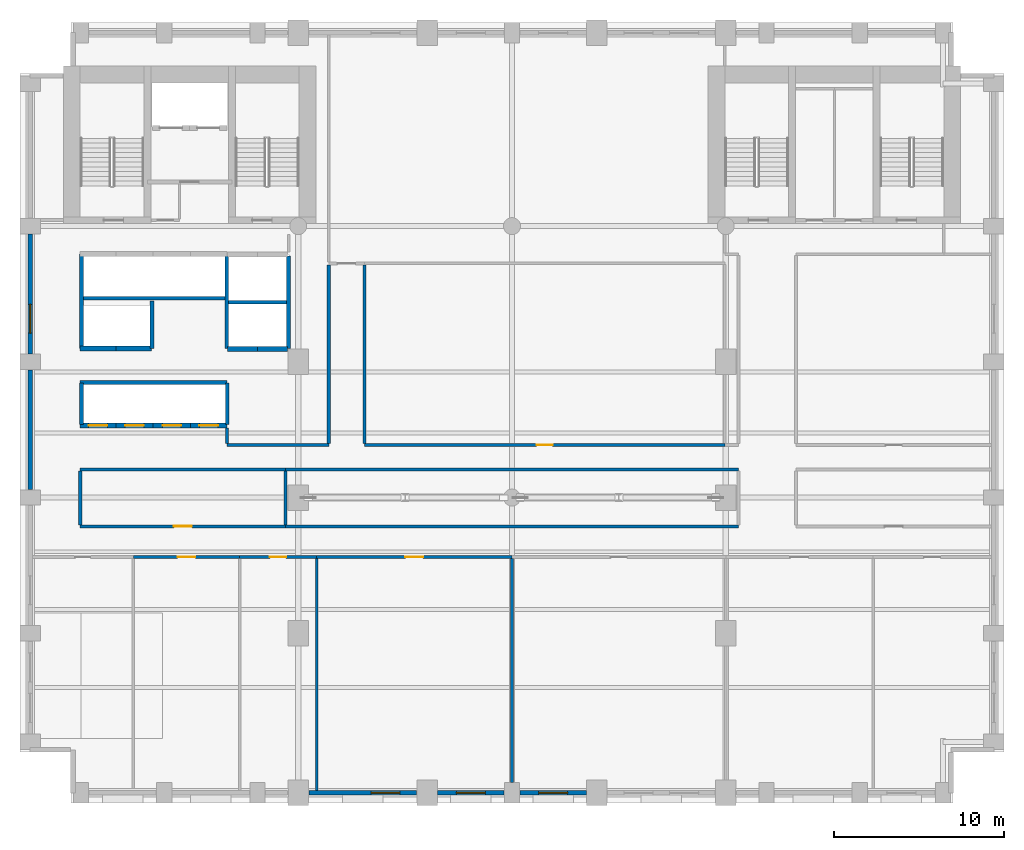
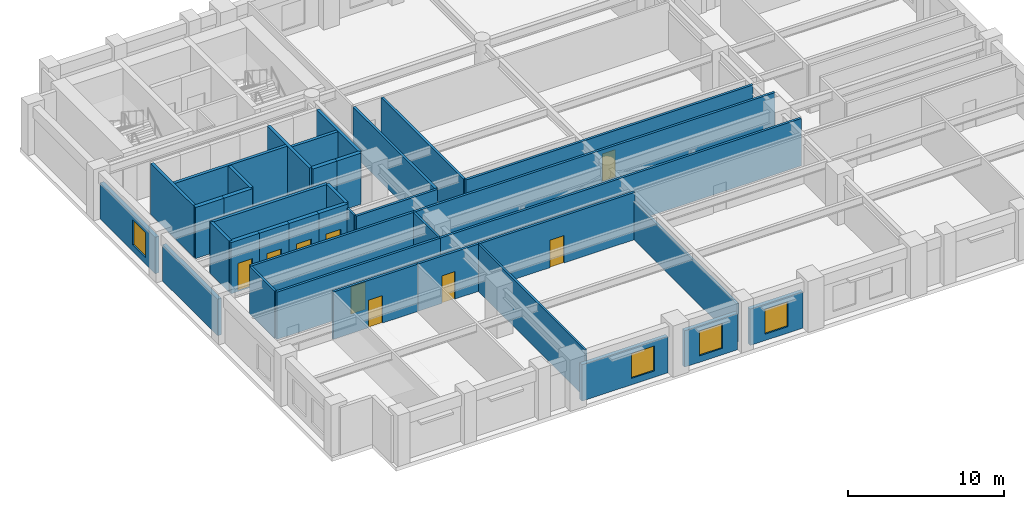
# One storey, part 5 of 11: 38 walls, 9 doors, 4 windows, 13 openings.
"""IFC4 building model written with IfcOpenShell, lengths in metres."""

from ifc_helpers import new_model, si_unit, direction, frame, frame_2d, origin, place, context, subcontext, project, spatial, rectangle, extrude, material, layer, layer_set, type_object, element, fill, save


model = new_model("IFC4")

# Units and contexts
model_context = context("Model", 3, precision=1e-05, world=origin(), true_north=direction((0.0, 1.0)))
body_context = subcontext(model_context, "Body", "Model", "MODEL_VIEW")
ifc_project = project(units=[si_unit("LENGTHUNIT", "METRE"), si_unit("AREAUNIT", "SQUARE_METRE"), si_unit("VOLUMEUNIT", "CUBIC_METRE"), si_unit("PLANEANGLEUNIT", "RADIAN"), si_unit("MASSUNIT", "GRAM", prefix="KILO")], contexts=[model_context])

# Site, building, storey
site_placement = place(None, origin())
site = spatial("IfcSite", under=ifc_project, at=site_placement, CompositionType="ELEMENT")
building_placement = place(site_placement, origin())
building = spatial("IfcBuilding", under=site, at=building_placement, Name="Sulina Concourse Tower", CompositionType="ELEMENT")
storey_placement = place(building_placement, frame((0.0, 0.0, 46.60009765625)))
storey = spatial("IfcBuildingStorey", under=building, at=storey_placement, Name="L11", CompositionType="ELEMENT", Elevation=46.60009765625)

# Walls
ifc_material_1 = material(Name="Concrete C50/60", Category="concrete")
ifc_layer_1 = layer(ifc_material_1, 0.219970703125)
ifc_layer_set_1 = layer_set([ifc_layer_1], Name="Concrete C50/60")
wall_type_1 = type_object("IfcWallType", Name="Core Lift Hoistway Divider Wall 220mm", PredefinedType="SOLIDWALL", material=ifc_layer_set_1)
wall_1_placement = place(storey_placement, frame((3.550048828125, 29.75, 0.0), z_axis=(0.0, 0.0, 1.0), x_axis=(1.0, 0.0, 0.0)))
element("IfcWall", 1, at=wall_1_placement, inside=storey, type_object=wall_type_1, Name="L11 shaft divider wall HW-LP3-S", PredefinedType="SOLIDWALL", context=body_context, shape_type="SweptSolid", body=[
    extrude(rectangle(XDim=8.64990234375, YDim=0.219970703125, at=frame_2d((4.324951171875, 0.0))), origin(), (0.0, 0.0, 1.0), 4.0),
])
wall_2_placement = place(storey_placement, frame((3.6298828125, 26.800048828125, 0.0), z_axis=(0.0, 0.0, 1.0), x_axis=(0.0, 1.0, 0.0)))
element("IfcWall", 2, at=wall_2_placement, inside=storey, type_object=wall_type_1, Name="L11 shaft divider wall HW-LP3-W", PredefinedType="SOLIDWALL", context=body_context, shape_type="SweptSolid", body=[
    extrude(rectangle(XDim=5.550048828125, YDim=0.219970703125, at=frame_2d((2.77490234375, 0.0))), origin(), (0.0, 0.0, 1.0), 4.0),
])
wall_3_placement = place(storey_placement, frame((7.780029296875, 26.800048828125, 0.0), z_axis=(0.0, 0.0, 1.0), x_axis=(0.0, 1.0, 0.0)))
element("IfcWall", 3, at=wall_3_placement, inside=storey, type_object=wall_type_1, Name="L11 shaft divider wall HW-EXP-E", PredefinedType="SOLIDWALL", context=body_context, shape_type="SweptSolid", body=[
    extrude(rectangle(XDim=2.800048828125, YDim=0.219970703125, at=frame_2d((1.39990234375, 0.0))), origin(), (0.0, 0.0, 1.0), 4.0),
])
for number, where, z_axis, x_axis, name in (
    (4, (12.179931640625, 26.800048828125, 0.0), (0.0, 0.0, 1.0), (0.0, 1.0, 0.0), "L11 shaft divider wall HW-LP2-W"),
    (5, (15.820068359375, 26.800048828125, 0.0), (0.0, 0.0, 1.0), (0.0, 1.0, 0.0), "L11 shaft divider wall HW-LP2-E"),
):
    element("IfcWall", number, at=place(storey_placement, frame(where, z_axis=z_axis, x_axis=x_axis)), inside=storey, type_object=wall_type_1, Name=name, PredefinedType="SOLIDWALL", context=body_context, shape_type="SweptSolid", body=[
        extrude(rectangle(XDim=5.449951171875, YDim=0.219970703125, at=frame_2d((2.72509765625, 0.0))), origin(), (0.0, 0.0, 1.0), 4.0),
    ])
wall_4_placement = place(storey_placement, frame((12.300048828125, 29.52001953125, 0.0), z_axis=(0.0, 0.0, 1.0), x_axis=(1.0, 0.0, 0.0)))
element("IfcWall", 6, at=wall_4_placement, inside=storey, type_object=wall_type_1, Name="L11 shaft divider wall HW-LP2-M", PredefinedType="SOLIDWALL", context=body_context, shape_type="SweptSolid", body=[
    extrude(rectangle(XDim=3.39990234375, YDim=0.219970703125, at=frame_2d((1.699951171875, 0.0))), origin(), (0.0, 0.0, 1.0), 4.0),
])
wall_5_placement = place(storey_placement, frame((3.550048828125, 24.780029296875, 0.0), z_axis=(0.0, 0.0, 1.0), x_axis=(1.0, 0.0, 0.0)))
element("IfcWall", 7, at=wall_5_placement, inside=storey, type_object=wall_type_1, Name="L11 shaft divider wall HW-LP1-N", PredefinedType="SOLIDWALL", context=body_context, shape_type="SweptSolid", body=[
    extrude(rectangle(XDim=8.64990234375, YDim=0.219970703125, at=frame_2d((4.324951171875, 0.0))), origin(), (0.0, 0.0, 1.0), 4.0),
])
for number, where, z_axis, x_axis, name in (
    (8, (3.6298828125, 22.300048828125, 0.0), (0.0, 0.0, 1.0), (0.0, 1.0, 0.0), "L11 shaft divider wall HW-LP1-W"),
    (9, (12.219970703125, 22.300048828125, 0.0), (0.0, 0.0, 1.0), (0.0, 1.0, 0.0), "L11 shaft divider wall HW-LP1-E"),
):
    element("IfcWall", number, at=place(storey_placement, frame(where, z_axis=z_axis, x_axis=x_axis)), inside=storey, type_object=wall_type_1, Name=name, PredefinedType="SOLIDWALL", context=body_context, shape_type="SweptSolid", body=[
        extrude(rectangle(XDim=2.449951171875, YDim=0.219970703125, at=frame_2d((1.22509765625, 0.0))), origin(), (0.0, 0.0, 1.0), 4.0),
    ])

# Wall, opening, door
ifc_material_2 = material(Name="Concrete C50/60", Category="concrete")
ifc_layer_2 = layer(ifc_material_2, 0.300048828125)
ifc_layer_set_2 = layer_set([ifc_layer_2], Name="Concrete C50/60")
wall_type_2 = type_object("IfcWallType", Name="Core Lift Hoistway Wall 300mm", PredefinedType="SOLIDWALL", material=ifc_layer_set_2)
wall_6_placement = place(storey_placement, frame((5.64990234375, 22.25, 0.0), z_axis=(0.0, 0.0, 1.0), x_axis=(-1.0, 0.0, 0.0)))
wall_6 = element("IfcWall", 10, at=wall_6_placement, inside=storey, type_object=wall_type_2, Name="L11 hoistway enclosure wall LP-01", PredefinedType="SOLIDWALL", context=body_context, shape_type="SweptSolid", body=[
    extrude(rectangle(XDim=2.099853515625, YDim=0.300048828125, at=frame_2d((1.0498046875, 0.0))), origin(), (0.0, 0.0, 1.0), 4.0),
])
opening_1_placement = place(wall_6_placement, frame((0.5, 0.0, 0.0)))
opening_1 = element("IfcOpeningElement", 11, at=opening_1_placement, cuts=wall_6, Name="Opening LD-01", PredefinedType="OPENING", context=body_context, shape_type="SweptSolid", body=[
    extrude(rectangle(XDim=1.10009765625, YDim=2.199951171875, at=frame_2d((0.550048828125, 1.10009765625))), frame((0.0, 0.159912109375, 0.0), z_axis=(0.0, -1.0, 0.0), x_axis=(1.0, 0.0, 0.0)), (0.0, 0.0, 1.0), 0.320068359375),
])
ifc_material_3 = material(Name="Stainless steel lift landing door", Category="steel")
ifc_layer_3 = layer(ifc_material_3, 0.050048828125)
ifc_layer_set_3 = layer_set([ifc_layer_3], Name="Stainless steel lift landing door")
door_type_1 = type_object("IfcDoorType", Name="Passenger Lift Sliding Landing Door 1100x2200", OperationType="SLIDING_TO_LEFT", PredefinedType="DOOR", material=ifc_layer_set_3)
door_1_placement = place(opening_1_placement, origin())
door_1 = element("IfcDoor", 12, at=door_1_placement, inside=storey, type_object=door_type_1, Name="L11 lift landing sliding door LP-01", OperationType="SLIDING_TO_LEFT", OverallHeight=2.199951171875, OverallWidth=1.10009765625, PredefinedType="DOOR", context=body_context, shape_type="SweptSolid", body=[
    extrude(rectangle(XDim=1.10009765625, YDim=2.199951171875, at=frame_2d((0.550048828125, 1.10009765625))), frame((0.0, 0.02490234375, 0.0), z_axis=(0.0, -1.0, 0.0), x_axis=(1.0, 0.0, 0.0)), (0.0, 0.0, 1.0), 0.050048828125),
])
fill(opening_1, door_1)

wall_7_placement = place(storey_placement, frame((7.85009765625, 22.25, 0.0), z_axis=(0.0, 0.0, 1.0), x_axis=(-1.0, 0.0, 0.0)))
wall_7 = element("IfcWall", 13, at=wall_7_placement, inside=storey, type_object=wall_type_2, Name="L11 hoistway enclosure wall LP-02", PredefinedType="SOLIDWALL", context=body_context, shape_type="SweptSolid", body=[
    extrude(rectangle(XDim=2.2001953125, YDim=0.300048828125, at=frame_2d((1.10009765625, 0.0))), origin(), (0.0, 0.0, 1.0), 4.0),
])
opening_2_placement = place(wall_7_placement, frame((0.550048828125, 0.0, 0.0)))
opening_2 = element("IfcOpeningElement", 14, at=opening_2_placement, cuts=wall_7, Name="Opening LD-01", PredefinedType="OPENING", context=body_context, shape_type="SweptSolid", body=[
    extrude(rectangle(XDim=1.10009765625, YDim=2.199951171875, at=frame_2d((0.550048828125, 1.10009765625))), frame((0.0, 0.159912109375, 0.0), z_axis=(0.0, -1.0, 0.0), x_axis=(1.0, 0.0, 0.0)), (0.0, 0.0, 1.0), 0.320068359375),
])
door_2_placement = place(opening_2_placement, origin())
door_2 = element("IfcDoor", 15, at=door_2_placement, inside=storey, type_object=door_type_1, Name="L11 lift landing sliding door LP-02", OperationType="SLIDING_TO_RIGHT", OverallHeight=2.199951171875, OverallWidth=1.10009765625, PredefinedType="DOOR", context=body_context, shape_type="SweptSolid", body=[
    extrude(rectangle(XDim=1.10009765625, YDim=2.199951171875, at=frame_2d((0.550048828125, 1.10009765625))), frame((0.0, 0.02490234375, 0.0), z_axis=(0.0, -1.0, 0.0), x_axis=(1.0, 0.0, 0.0)), (0.0, 0.0, 1.0), 0.050048828125),
])
fill(opening_2, door_2)

wall_8_placement = place(storey_placement, frame((10.050048828125, 22.25, 0.0), z_axis=(0.0, 0.0, 1.0), x_axis=(-1.0, 0.0, 0.0)))
wall_8 = element("IfcWall", 16, at=wall_8_placement, inside=storey, type_object=wall_type_2, Name="L11 hoistway enclosure wall LP-03", PredefinedType="SOLIDWALL", context=body_context, shape_type="SweptSolid", body=[
    extrude(rectangle(XDim=2.199951171875, YDim=0.300048828125, at=frame_2d((1.10009765625, 0.0))), origin(), (0.0, 0.0, 1.0), 4.0),
])
opening_3_placement = place(wall_8_placement, frame((0.550048828125, 0.0, 0.0)))
opening_3 = element("IfcOpeningElement", 17, at=opening_3_placement, cuts=wall_8, Name="Opening LD-01", PredefinedType="OPENING", context=body_context, shape_type="SweptSolid", body=[
    extrude(rectangle(XDim=1.10009765625, YDim=2.199951171875, at=frame_2d((0.550048828125, 1.10009765625))), frame((0.0, 0.159912109375, 0.0), z_axis=(0.0, -1.0, 0.0), x_axis=(1.0, 0.0, 0.0)), (0.0, 0.0, 1.0), 0.320068359375),
])
door_3_placement = place(opening_3_placement, origin())
door_3 = element("IfcDoor", 18, at=door_3_placement, inside=storey, type_object=door_type_1, Name="L11 lift landing sliding door LP-03", OperationType="SLIDING_TO_LEFT", OverallHeight=2.199951171875, OverallWidth=1.10009765625, PredefinedType="DOOR", context=body_context, shape_type="SweptSolid", body=[
    extrude(rectangle(XDim=1.10009765625, YDim=2.199951171875, at=frame_2d((0.550048828125, 1.10009765625))), frame((0.0, 0.02490234375, 0.0), z_axis=(0.0, -1.0, 0.0), x_axis=(1.0, 0.0, 0.0)), (0.0, 0.0, 1.0), 0.050048828125),
])
fill(opening_3, door_3)

wall_9_placement = place(storey_placement, frame((12.199951171875, 22.25, 0.0), z_axis=(0.0, 0.0, 1.0), x_axis=(-1.0, 0.0, 0.0)))
wall_9 = element("IfcWall", 19, at=wall_9_placement, inside=storey, type_object=wall_type_2, Name="L11 hoistway enclosure wall LP-04", PredefinedType="SOLIDWALL", context=body_context, shape_type="SweptSolid", body=[
    extrude(rectangle(XDim=2.14990234375, YDim=0.300048828125, at=frame_2d((1.074951171875, 0.0))), origin(), (0.0, 0.0, 1.0), 4.0),
])
opening_4_placement = place(wall_9_placement, frame((0.52490234375, 0.0, 0.0)))
opening_4 = element("IfcOpeningElement", 20, at=opening_4_placement, cuts=wall_9, Name="Opening LD-01", PredefinedType="OPENING", context=body_context, shape_type="SweptSolid", body=[
    extrude(rectangle(XDim=1.10009765625, YDim=2.199951171875, at=frame_2d((0.550048828125, 1.10009765625))), frame((0.0, 0.159912109375, 0.0), z_axis=(0.0, -1.0, 0.0), x_axis=(1.0, 0.0, 0.0)), (0.0, 0.0, 1.0), 0.320068359375),
])
door_4_placement = place(opening_4_placement, origin())
door_4 = element("IfcDoor", 21, at=door_4_placement, inside=storey, type_object=door_type_1, Name="L11 lift landing sliding door LP-04", OperationType="SLIDING_TO_RIGHT", OverallHeight=2.199951171875, OverallWidth=1.10009765625, PredefinedType="DOOR", context=body_context, shape_type="SweptSolid", body=[
    extrude(rectangle(XDim=1.10009765625, YDim=2.199951171875, at=frame_2d((0.550048828125, 1.10009765625))), frame((0.0, 0.02490234375, 0.0), z_axis=(0.0, -1.0, 0.0), x_axis=(1.0, 0.0, 0.0)), (0.0, 0.0, 1.0), 0.050048828125),
])
fill(opening_4, door_4)

# Walls
for number, where, z_axis, x_axis, name in (
    (22, (14.0, 26.75, 0.0), (0.0, 0.0, 1.0), (-1.0, 0.0, 0.0), "L11 hoistway enclosure wall LP-05"),
    (23, (15.780029296875, 26.75, 0.0), (0.0, 0.0, 1.0), (-1.0, 0.0, 0.0), "L11 hoistway enclosure wall LP-06"),
):
    element("IfcWall", number, at=place(storey_placement, frame(where, z_axis=z_axis, x_axis=x_axis)), inside=storey, type_object=wall_type_2, Name=name, PredefinedType="SOLIDWALL", context=body_context, shape_type="SweptSolid", body=[
        extrude(rectangle(XDim=1.780029296875, YDim=0.300048828125, at=frame_2d((0.89013671875, 0.0))), origin(), (0.0, 0.0, 1.0), 4.0),
    ])
wall_10_placement = place(storey_placement, frame((5.64990234375, 26.780029296875, 0.0), z_axis=(0.0, 0.0, 1.0), x_axis=(-1.0, 0.0, 0.0)))
element("IfcWall", 24, at=wall_10_placement, inside=storey, type_object=wall_type_2, Name="L11 hoistway enclosure wall EXP-1", PredefinedType="SOLIDWALL", context=body_context, shape_type="SweptSolid", body=[
    extrude(rectangle(XDim=2.099853515625, YDim=0.300048828125, at=frame_2d((1.0498046875, 0.0))), origin(), (0.0, 0.0, 1.0), 4.0),
])
wall_11_placement = place(storey_placement, frame((7.75, 26.780029296875, 0.0), z_axis=(0.0, 0.0, 1.0), x_axis=(-1.0, 0.0, 0.0)))
element("IfcWall", 25, at=wall_11_placement, inside=storey, type_object=wall_type_2, Name="L11 hoistway enclosure wall EXP-2", PredefinedType="SOLIDWALL", context=body_context, shape_type="SweptSolid", body=[
    extrude(rectangle(XDim=2.10009765625, YDim=0.300048828125, at=frame_2d((1.050048828125, 0.0))), origin(), (0.0, 0.0, 1.0), 4.0),
])
ifc_material_4 = material(Name="Gypsum board on steel stud", Category="steel")
ifc_layer_4 = layer(ifc_material_4, 0.14990234375)
ifc_layer_set_4 = layer_set([ifc_layer_4], Name="Gypsum board on steel stud")
wall_type_3 = type_object("IfcWallType", Name="Inter-Tenancy Acoustic Partition 150mm", PredefinedType="PARTITIONING", material=ifc_layer_set_4)
wall_12_placement = place(storey_placement, frame((12.199951171875, 21.18994140625, 0.0), z_axis=(0.0, 0.0, 1.0), x_axis=(0.0, 1.0, 0.0)))
element("IfcWall", 26, at=wall_12_placement, inside=storey, type_object=wall_type_3, Name="L11 interior partition 030", PredefinedType="PARTITIONING", context=body_context, shape_type="SweptSolid", body=[
    extrude(rectangle(XDim=0.91015625, YDim=0.14990234375, at=frame_2d((0.455078125, 0.0))), origin(), (0.0, 0.0, 1.0), 3.699951171875),
])
wall_13_placement = place(storey_placement, frame((15.64990234375, 16.389892578125, 0.0), z_axis=(0.0, 0.0, 1.0), x_axis=(0.0, 1.0, 0.0)))
element("IfcWall", 27, at=wall_13_placement, inside=storey, type_object=wall_type_3, Name="L11 interior partition 032", PredefinedType="PARTITIONING", context=body_context, shape_type="SweptSolid", body=[
    extrude(rectangle(XDim=3.170166015625, YDim=0.14990234375, at=frame_2d((1.5849609375, 0.0))), origin(), (0.0, 0.0, 1.0), 3.699951171875),
])
wall_14_placement = place(storey_placement, frame((17.47998046875, 0.739990234375, 0.0), z_axis=(0.0, 0.0, 1.0), x_axis=(0.0, 1.0, 0.0)))
element("IfcWall", 28, at=wall_14_placement, inside=storey, type_object=wall_type_3, Name="L11 interior partition 034", PredefinedType="PARTITIONING", context=body_context, shape_type="SweptSolid", body=[
    extrude(rectangle(XDim=13.669921875, YDim=0.14990234375, at=frame_2d((6.8349609375, 0.0))), origin(), (0.0, 0.0, 1.0), 3.699951171875),
])
wall_15_placement = place(storey_placement, frame((29.0, 1.199951171875, 0.0), z_axis=(0.0, 0.0, 1.0), x_axis=(0.0, 1.0, 0.0)))
element("IfcWall", 29, at=wall_15_placement, inside=storey, type_object=wall_type_3, Name="L11 interior partition 038", PredefinedType="PARTITIONING", context=body_context, shape_type="SweptSolid", body=[
    extrude(rectangle(XDim=13.2099609375, YDim=0.14990234375, at=frame_2d((6.60498046875, 0.0))), origin(), (0.0, 0.0, 1.0), 2.994873046875),
])

# Wall, opening, door
ifc_material_5 = material(Name="Gypsum board on steel stud", Category="steel")
ifc_layer_5 = layer(ifc_material_5, 0.179931640625)
ifc_layer_set_5 = layer_set([ifc_layer_5], Name="Gypsum board on steel stud")
wall_type_4 = type_object("IfcWallType", Name="Protected Corridor & Riser Partition 180mm", PredefinedType="PARTITIONING", material=ifc_layer_set_5)
wall_16_placement = place(storey_placement, frame((6.679931640625, 14.5, 0.0), z_axis=(0.0, 0.0, 1.0), x_axis=(1.0, 0.0, 0.0)))
wall_16 = element("IfcWall", 30, at=wall_16_placement, inside=storey, type_object=wall_type_4, Name="L11 interior partition 002", PredefinedType="PARTITIONING", context=body_context, shape_type="SweptSolid", body=[
    extrude(rectangle(XDim=6.260009765625, YDim=0.179931640625, at=frame_2d((3.1298828125, 0.0))), origin(), (0.0, 0.0, 1.0), 3.699951171875),
])
opening_5_placement = place(wall_16_placement, frame((2.60498046875, 0.0, 0.0)))
opening_5 = element("IfcOpeningElement", 31, at=opening_5_placement, cuts=wall_16, Name="Opening DR-37", PredefinedType="OPENING", context=body_context, shape_type="SweptSolid", body=[
    extrude(rectangle(XDim=1.050048828125, YDim=2.14990234375, at=frame_2d((0.52490234375, 1.074951171875))), frame((0.0, 0.099853515625, 0.0), z_axis=(0.0, -1.0, 0.0), x_axis=(1.0, 0.0, 0.0)), (0.0, 0.0, 1.0), 0.199951171875),
])
ifc_material_6 = material(Name="Oak-veneered fire door leaf")
ifc_layer_6 = layer(ifc_material_6, 0.050048828125)
ifc_layer_set_6 = layer_set([ifc_layer_6], Name="Oak-veneered fire door leaf")
door_type_2 = type_object("IfcDoorType", Name="Tenant Suite Entrance Fire Door 1050x2150", OperationType="NOTDEFINED", PredefinedType="DOOR", material=ifc_layer_set_6)
door_5_placement = place(opening_5_placement, origin())
door_5 = element("IfcDoor", 32, at=door_5_placement, inside=storey, type_object=door_type_2, Name="L11 interior door L11-S02A", OperationType="SINGLE_SWING_RIGHT", OverallHeight=2.14990234375, OverallWidth=1.050048828125, PredefinedType="DOOR", context=body_context, shape_type="SweptSolid", body=[
    extrude(rectangle(XDim=1.050048828125, YDim=2.14990234375, at=frame_2d((0.52490234375, 1.074951171875))), frame((0.0, 0.02490234375, 0.0), z_axis=(0.0, -1.0, 0.0), x_axis=(1.0, 0.0, 0.0)), (0.0, 0.0, 1.0), 0.050048828125),
])
fill(opening_5, door_5)

wall_17_placement = place(storey_placement, frame((12.93994140625, 14.5, 0.0), z_axis=(0.0, 0.0, 1.0), x_axis=(1.0, 0.0, 0.0)))
wall_17 = element("IfcWall", 33, at=wall_17_placement, inside=storey, type_object=wall_type_4, Name="L11 interior partition 003", PredefinedType="PARTITIONING", context=body_context, shape_type="SweptSolid", body=[
    extrude(rectangle(XDim=4.5400390625, YDim=0.179931640625, at=frame_2d((2.27001953125, 0.0))), origin(), (0.0, 0.0, 1.0), 3.699951171875),
])
opening_6_placement = place(wall_17_placement, frame((1.794921875, 0.0, 0.0)))
opening_6 = element("IfcOpeningElement", 34, at=opening_6_placement, cuts=wall_17, Name="Opening DR-19", PredefinedType="OPENING", context=body_context, shape_type="SweptSolid", body=[
    extrude(rectangle(XDim=0.949951171875, YDim=2.14990234375, at=frame_2d((0.47509765625, 1.074951171875))), frame((0.0, 0.099853515625, 0.0), z_axis=(0.0, -1.0, 0.0), x_axis=(1.0, 0.0, 0.0)), (0.0, 0.0, 1.0), 0.199951171875),
])
ifc_material_7 = material(Name="Oak-veneered acoustic timber leaf", Category="wood")
ifc_layer_7 = layer(ifc_material_7, 0.050048828125)
ifc_layer_set_7 = layer_set([ifc_layer_7], Name="Oak-veneered acoustic timber leaf")
door_type_3 = type_object("IfcDoorType", Name="Cellular Office & Meeting Door 950x2150", OperationType="NOTDEFINED", PredefinedType="DOOR", material=ifc_layer_set_7)
door_6_placement = place(opening_6_placement, origin())
door_6 = element("IfcDoor", 35, at=door_6_placement, inside=storey, type_object=door_type_3, Name="L11 interior door L11-S02B", OperationType="SINGLE_SWING_LEFT", OverallHeight=2.14990234375, OverallWidth=0.949951171875, PredefinedType="DOOR", context=body_context, shape_type="SweptSolid", body=[
    extrude(rectangle(XDim=0.949951171875, YDim=2.14990234375, at=frame_2d((0.47509765625, 1.074951171875))), frame((0.0, 0.02490234375, 0.0), z_axis=(0.0, -1.0, 0.0), x_axis=(1.0, 0.0, 0.0)), (0.0, 0.0, 1.0), 0.050048828125),
])
fill(opening_6, door_6)

wall_18_placement = place(storey_placement, frame((17.47998046875, 14.5, 0.0), z_axis=(0.0, 0.0, 1.0), x_axis=(1.0, 0.0, 0.0)))
wall_18 = element("IfcWall", 36, at=wall_18_placement, inside=storey, type_object=wall_type_4, Name="L11 interior partition 004", PredefinedType="PARTITIONING", context=body_context, shape_type="SweptSolid", body=[
    extrude(rectangle(XDim=11.52001953125, YDim=0.179931640625, at=frame_2d((5.760009765625, 0.0))), origin(), (0.0, 0.0, 1.0), 3.699951171875),
])
opening_7_placement = place(wall_18_placement, frame((5.235107421875, 0.0, 0.0)))
opening_7 = element("IfcOpeningElement", 37, at=opening_7_placement, cuts=wall_18, Name="Opening DR-37", PredefinedType="OPENING", context=body_context, shape_type="SweptSolid", body=[
    extrude(rectangle(XDim=1.050048828125, YDim=2.14990234375, at=frame_2d((0.52490234375, 1.074951171875))), frame((0.0, 0.099853515625, 0.0), z_axis=(0.0, -1.0, 0.0), x_axis=(1.0, 0.0, 0.0)), (0.0, 0.0, 1.0), 0.199951171875),
])
door_7_placement = place(opening_7_placement, origin())
door_7 = element("IfcDoor", 38, at=door_7_placement, inside=storey, type_object=door_type_2, Name="L11 interior door L11-S03", OperationType="SINGLE_SWING_RIGHT", OverallHeight=2.14990234375, OverallWidth=1.050048828125, PredefinedType="DOOR", context=body_context, shape_type="SweptSolid", body=[
    extrude(rectangle(XDim=1.050048828125, YDim=2.14990234375, at=frame_2d((0.52490234375, 1.074951171875))), frame((0.0, 0.02490234375, 0.0), z_axis=(0.0, -1.0, 0.0), x_axis=(1.0, 0.0, 0.0)), (0.0, 0.0, 1.0), 0.050048828125),
])
fill(opening_7, door_7)

wall_19_placement = place(storey_placement, frame((3.550048828125, 16.300048828125, 0.0), z_axis=(0.0, 0.0, 1.0), x_axis=(1.0, 0.0, 0.0)))
wall_19 = element("IfcWall", 39, at=wall_19_placement, inside=storey, type_object=wall_type_4, Name="L11 interior partition 008", PredefinedType="PARTITIONING", context=body_context, shape_type="SweptSolid", body=[
    extrude(rectangle(XDim=12.099853515625, YDim=0.179931640625, at=frame_2d((6.0498046875, 0.0))), origin(), (0.0, 0.0, 1.0), 3.699951171875),
])
opening_8_placement = place(wall_19_placement, frame((5.52490234375, 0.0, 0.0)))
opening_8 = element("IfcOpeningElement", 40, at=opening_8_placement, cuts=wall_19, Name="Opening DR-37", PredefinedType="OPENING", context=body_context, shape_type="SweptSolid", body=[
    extrude(rectangle(XDim=1.050048828125, YDim=2.14990234375, at=frame_2d((0.52490234375, 1.074951171875))), frame((0.0, 0.099853515625, 0.0), z_axis=(0.0, -1.0, 0.0), x_axis=(1.0, 0.0, 0.0)), (0.0, 0.0, 1.0), 0.199951171875),
])
door_8_placement = place(opening_8_placement, origin())
door_8 = element("IfcDoor", 41, at=door_8_placement, inside=storey, type_object=door_type_2, Name="L11 interior door L11-OFF-LBTW", OperationType="SINGLE_SWING_RIGHT", OverallHeight=2.14990234375, OverallWidth=1.050048828125, PredefinedType="DOOR", context=body_context, shape_type="SweptSolid", body=[
    extrude(rectangle(XDim=1.050048828125, YDim=2.14990234375, at=frame_2d((0.52490234375, 1.074951171875))), frame((0.0, 0.02490234375, 0.0), z_axis=(0.0, -1.0, 0.0), x_axis=(1.0, 0.0, 0.0)), (0.0, 0.0, 1.0), 0.050048828125),
])
fill(opening_8, door_8)

# Walls
wall_20_placement = place(storey_placement, frame((15.64990234375, 16.300048828125, 0.0), z_axis=(0.0, 0.0, 1.0), x_axis=(1.0, 0.0, 0.0)))
element("IfcWall", 42, at=wall_20_placement, inside=storey, type_object=wall_type_4, Name="L11 interior partition 009", PredefinedType="PARTITIONING", context=body_context, shape_type="SweptSolid", body=[
    extrude(rectangle(XDim=26.7001953125, YDim=0.179931640625, at=frame_2d((13.35009765625, 0.0))), origin(), (0.0, 0.0, 1.0), 3.699951171875),
])
wall_21_placement = place(storey_placement, frame((3.550048828125, 19.64990234375, 0.0), z_axis=(0.0, 0.0, 1.0), x_axis=(1.0, 0.0, 0.0)))
element("IfcWall", 43, at=wall_21_placement, inside=storey, type_object=wall_type_4, Name="L11 interior partition 011", PredefinedType="PARTITIONING", context=body_context, shape_type="SweptSolid", body=[
    extrude(rectangle(XDim=12.099853515625, YDim=0.179931640625, at=frame_2d((6.0498046875, 0.0))), origin(), (0.0, 0.0, 1.0), 3.699951171875),
])
wall_22_placement = place(storey_placement, frame((15.64990234375, 19.64990234375, 0.0), z_axis=(0.0, 0.0, 1.0), x_axis=(1.0, 0.0, 0.0)))
element("IfcWall", 44, at=wall_22_placement, inside=storey, type_object=wall_type_4, Name="L11 interior partition 012", PredefinedType="PARTITIONING", context=body_context, shape_type="SweptSolid", body=[
    extrude(rectangle(XDim=26.7001953125, YDim=0.179931640625, at=frame_2d((13.35009765625, 0.0))), origin(), (0.0, 0.0, 1.0), 3.699951171875),
])
wall_23_placement = place(storey_placement, frame((12.199951171875, 21.10009765625, 0.0), z_axis=(0.0, 0.0, 1.0), x_axis=(1.0, 0.0, 0.0)))
element("IfcWall", 45, at=wall_23_placement, inside=storey, type_object=wall_type_4, Name="L11 interior partition 014", PredefinedType="PARTITIONING", context=body_context, shape_type="SweptSolid", body=[
    extrude(rectangle(XDim=6.0, YDim=0.179931640625, at=frame_2d((3.0, 0.0))), origin(), (0.0, 0.0, 1.0), 3.699951171875),
])

# Wall, opening, door
wall_24_placement = place(storey_placement, frame((20.300048828125, 21.10009765625, 0.0), z_axis=(0.0, 0.0, 1.0), x_axis=(1.0, 0.0, 0.0)))
wall_24 = element("IfcWall", 46, at=wall_24_placement, inside=storey, type_object=wall_type_4, Name="L11 interior partition 015", PredefinedType="PARTITIONING", context=body_context, shape_type="SweptSolid", body=[
    extrude(rectangle(XDim=21.25, YDim=0.179931640625, at=frame_2d((10.625, 0.0))), origin(), (0.0, 0.0, 1.0), 3.699951171875),
])
opening_9_placement = place(wall_24_placement, frame((10.14990234375, 0.0, 0.0)))
opening_9 = element("IfcOpeningElement", 47, at=opening_9_placement, cuts=wall_24, Name="Opening DR-19", PredefinedType="OPENING", context=body_context, shape_type="SweptSolid", body=[
    extrude(rectangle(XDim=0.949951171875, YDim=2.14990234375, at=frame_2d((0.47509765625, 1.074951171875))), frame((0.0, 0.099853515625, 0.0), z_axis=(0.0, -1.0, 0.0), x_axis=(1.0, 0.0, 0.0)), (0.0, 0.0, 1.0), 0.199951171875),
])
door_9_placement = place(opening_9_placement, origin())
door_9 = element("IfcDoor", 48, at=door_9_placement, inside=storey, type_object=door_type_3, Name="L11 interior door L11-NC3", OperationType="SINGLE_SWING_RIGHT", OverallHeight=2.14990234375, OverallWidth=0.949951171875, PredefinedType="DOOR", context=body_context, shape_type="SweptSolid", body=[
    extrude(rectangle(XDim=0.949951171875, YDim=2.14990234375, at=frame_2d((0.47509765625, 1.074951171875))), frame((0.0, 0.02490234375, 0.0), z_axis=(0.0, -1.0, 0.0), x_axis=(1.0, 0.0, 0.0)), (0.0, 0.0, 1.0), 0.050048828125),
])
fill(opening_9, door_9)

# Walls
wall_25_placement = place(storey_placement, frame((3.550048828125, 16.389892578125, 0.0), z_axis=(0.0, 0.0, 1.0), x_axis=(0.0, 1.0, 0.0)))
element("IfcWall", 49, at=wall_25_placement, inside=storey, type_object=wall_type_4, Name="L11 interior partition 027", PredefinedType="PARTITIONING", context=body_context, shape_type="SweptSolid", body=[
    extrude(rectangle(XDim=3.170166015625, YDim=0.179931640625, at=frame_2d((1.5849609375, 0.0))), origin(), (0.0, 0.0, 1.0), 3.699951171875),
])
for number, where, z_axis, x_axis, name in (
    (50, (18.199951171875, 21.18994140625, 0.0), (0.0, 0.0, 1.0), (0.0, 1.0, 0.0), "L11 interior partition 035"),
    (51, (20.300048828125, 21.18994140625, 0.0), (0.0, 0.0, 1.0), (0.0, 1.0, 0.0), "L11 interior partition 037"),
):
    element("IfcWall", number, at=place(storey_placement, frame(where, z_axis=z_axis, x_axis=x_axis)), inside=storey, type_object=wall_type_4, Name=name, PredefinedType="PARTITIONING", context=body_context, shape_type="SweptSolid", body=[
        extrude(rectangle(XDim=10.52001953125, YDim=0.179931640625, at=frame_2d((5.260009765625, 0.0))), origin(), (0.0, 0.0, 1.0), 3.699951171875),
    ])

# Wall, opening, window
ifc_material_8 = material(Name="Precast concrete C50/60", Category="concrete")
ifc_layer_8 = layer(ifc_material_8, 0.280029296875)
ifc_layer_set_8 = layer_set([ifc_layer_8], Name="Precast concrete C50/60")
wall_type_5 = type_object("IfcWallType", Name="Typical Precast Masonry-Frame Facade Wall 280mm", PredefinedType="SOLIDWALL", material=ifc_layer_set_8)
wall_26_placement = place(storey_placement, frame((23.3798828125, 0.60009765625, 0.0), z_axis=(0.0, 0.0, 1.0), x_axis=(-1.0, 0.0, 0.0)))
wall_26 = element("IfcWall", 52, at=wall_26_placement, inside=storey, type_object=wall_type_5, Name="L11 exterior precast wall S4", PredefinedType="SOLIDWALL", context=body_context, shape_type="SweptSolid", body=[
    extrude(rectangle(XDim=6.35986328125, YDim=0.280029296875, at=frame_2d((3.179931640625, 0.0))), origin(), (0.0, 0.0, 1.0), 2.849853515625),
])
opening_10_placement = place(wall_26_placement, frame((0.98681640625, 0.0, 0.5)))
opening_10 = element("IfcOpeningElement", 53, at=opening_10_placement, cuts=wall_26, Name="Opening WN-66", PredefinedType="OPENING", context=body_context, shape_type="SweptSolid", body=[
    extrude(rectangle(XDim=1.699951171875, YDim=1.949951171875, at=frame_2d((0.85009765625, 0.97509765625))), frame((0.0, 0.14990234375, 0.0), z_axis=(0.0, -1.0, 0.0), x_axis=(1.0, 0.0, 0.0)), (0.0, 0.0, 1.0), 0.300048828125),
])
ifc_material_9 = material(Name="Low-E solar double glazing in bronze aluminium", Category="aluminium")
window_type = type_object("IfcWindowType", Name="Recessed Spandrel Window 1700x1950", PartitioningType="SINGLE_PANEL", PredefinedType="WINDOW", material=ifc_material_9)
window_1_placement = place(opening_10_placement, origin())
window_1 = element("IfcWindow", 54, at=window_1_placement, inside=storey, type_object=window_type, Name="L11 punched window S4-1", OverallHeight=1.949951171875, OverallWidth=1.699951171875, PartitioningType="SINGLE_PANEL", PredefinedType="WINDOW", context=body_context, shape_type="SweptSolid", body=[
    extrude(rectangle(XDim=1.699951171875, YDim=1.949951171875, at=frame_2d((0.85009765625, 0.97509765625))), frame((0.0, 0.030029296875, 0.0), z_axis=(0.0, -1.0, 0.0), x_axis=(1.0, 0.0, 0.0)), (0.0, 0.0, 1.0), 0.06005859375),
])
fill(opening_10, window_1)

wall_27_placement = place(storey_placement, frame((28.530029296875, 0.60009765625, 0.0), z_axis=(0.0, 0.0, 1.0), x_axis=(-1.0, 0.0, 0.0)))
wall_27 = element("IfcWall", 55, at=wall_27_placement, inside=storey, type_object=wall_type_5, Name="L11 exterior precast wall S5", PredefinedType="SOLIDWALL", context=body_context, shape_type="SweptSolid", body=[
    extrude(rectangle(XDim=3.909912109375, YDim=0.280029296875, at=frame_2d((1.955078125, 0.0))), origin(), (0.0, 0.0, 1.0), 2.849853515625),
])
opening_11_placement = place(wall_27_placement, frame((1.10498046875, 0.0, 0.5)))
opening_11 = element("IfcOpeningElement", 56, at=opening_11_placement, cuts=wall_27, Name="Opening WN-66", PredefinedType="OPENING", context=body_context, shape_type="SweptSolid", body=[
    extrude(rectangle(XDim=1.699951171875, YDim=1.949951171875, at=frame_2d((0.85009765625, 0.97509765625))), frame((0.0, 0.14990234375, 0.0), z_axis=(0.0, -1.0, 0.0), x_axis=(1.0, 0.0, 0.0)), (0.0, 0.0, 1.0), 0.300048828125),
])
window_2_placement = place(opening_11_placement, origin())
window_2 = element("IfcWindow", 57, at=window_2_placement, inside=storey, type_object=window_type, Name="L11 punched window S5-1", OverallHeight=1.949951171875, OverallWidth=1.699951171875, PartitioningType="SINGLE_PANEL", PredefinedType="WINDOW", context=body_context, shape_type="SweptSolid", body=[
    extrude(rectangle(XDim=1.699951171875, YDim=1.949951171875, at=frame_2d((0.85009765625, 0.97509765625))), frame((0.0, 0.030029296875, 0.0), z_axis=(0.0, -1.0, 0.0), x_axis=(1.0, 0.0, 0.0)), (0.0, 0.0, 1.0), 0.06005859375),
])
fill(opening_11, window_2)

wall_28_placement = place(storey_placement, frame((33.3798828125, 0.60009765625, 0.0), z_axis=(0.0, 0.0, 1.0), x_axis=(-1.0, 0.0, 0.0)))
wall_28 = element("IfcWall", 58, at=wall_28_placement, inside=storey, type_object=wall_type_5, Name="L11 exterior precast wall S6", PredefinedType="SOLIDWALL", context=body_context, shape_type="SweptSolid", body=[
    extrude(rectangle(XDim=3.909912109375, YDim=0.280029296875, at=frame_2d((1.955078125, 0.0))), origin(), (0.0, 0.0, 1.0), 2.849853515625),
])
opening_12_placement = place(wall_28_placement, frame((1.10498046875, 0.0, 0.5)))
opening_12 = element("IfcOpeningElement", 59, at=opening_12_placement, cuts=wall_28, Name="Opening WN-66", PredefinedType="OPENING", context=body_context, shape_type="SweptSolid", body=[
    extrude(rectangle(XDim=1.699951171875, YDim=1.949951171875, at=frame_2d((0.85009765625, 0.97509765625))), frame((0.0, 0.14990234375, 0.0), z_axis=(0.0, -1.0, 0.0), x_axis=(1.0, 0.0, 0.0)), (0.0, 0.0, 1.0), 0.300048828125),
])
window_3_placement = place(opening_12_placement, origin())
window_3 = element("IfcWindow", 60, at=window_3_placement, inside=storey, type_object=window_type, Name="L11 punched window S6-1", OverallHeight=1.949951171875, OverallWidth=1.699951171875, PartitioningType="SINGLE_PANEL", PredefinedType="WINDOW", context=body_context, shape_type="SweptSolid", body=[
    extrude(rectangle(XDim=1.699951171875, YDim=1.949951171875, at=frame_2d((0.85009765625, 0.97509765625))), frame((0.0, 0.030029296875, 0.0), z_axis=(0.0, -1.0, 0.0), x_axis=(1.0, 0.0, 0.0)), (0.0, 0.0, 1.0), 0.06005859375),
])
fill(opening_12, window_3)

# Wall
wall_29_placement = place(storey_placement, frame((0.60009765625, 18.469970703125, 0.0), z_axis=(0.0, 0.0, 1.0), x_axis=(0.0, 1.0, 0.0)))
element("IfcWall", 61, at=wall_29_placement, inside=storey, type_object=wall_type_5, Name="L11 exterior precast wall W3", PredefinedType="SOLIDWALL", context=body_context, shape_type="SweptSolid", body=[
    extrude(rectangle(XDim=7.06005859375, YDim=0.280029296875, at=frame_2d((3.530029296875, 0.0))), origin(), (0.0, 0.0, 1.0), 2.849853515625),
])

# Wall, opening, window
wall_30_placement = place(storey_placement, frame((0.60009765625, 26.469970703125, 0.0), z_axis=(0.0, 0.0, 1.0), x_axis=(0.0, 1.0, 0.0)))
wall_30 = element("IfcWall", 62, at=wall_30_placement, inside=storey, type_object=wall_type_5, Name="L11 exterior precast wall W4", PredefinedType="SOLIDWALL", context=body_context, shape_type="SweptSolid", body=[
    extrude(rectangle(XDim=7.06005859375, YDim=0.280029296875, at=frame_2d((3.530029296875, 0.0))), origin(), (0.0, 0.0, 1.0), 2.849853515625),
])
opening_13_placement = place(wall_30_placement, frame((1.219970703125, 0.0, 0.5)))
opening_13 = element("IfcOpeningElement", 63, at=opening_13_placement, cuts=wall_30, Name="Opening WN-66", PredefinedType="OPENING", context=body_context, shape_type="SweptSolid", body=[
    extrude(rectangle(XDim=1.699951171875, YDim=1.949951171875, at=frame_2d((0.85009765625, 0.97509765625))), frame((0.0, 0.14990234375, 0.0), z_axis=(0.0, -1.0, 0.0), x_axis=(1.0, 0.0, 0.0)), (0.0, 0.0, 1.0), 0.300048828125),
])
window_4_placement = place(opening_13_placement, origin())
window_4 = element("IfcWindow", 64, at=window_4_placement, inside=storey, type_object=window_type, Name="L11 punched window W4-1", OverallHeight=1.949951171875, OverallWidth=1.699951171875, PartitioningType="SINGLE_PANEL", PredefinedType="WINDOW", context=body_context, shape_type="SweptSolid", body=[
    extrude(rectangle(XDim=1.699951171875, YDim=1.949951171875, at=frame_2d((0.85009765625, 0.97509765625))), frame((0.0, 0.030029296875, 0.0), z_axis=(0.0, -1.0, 0.0), x_axis=(1.0, 0.0, 0.0)), (0.0, 0.0, 1.0), 0.06005859375),
])
fill(opening_13, window_4)

save(model, "model.ifc")
